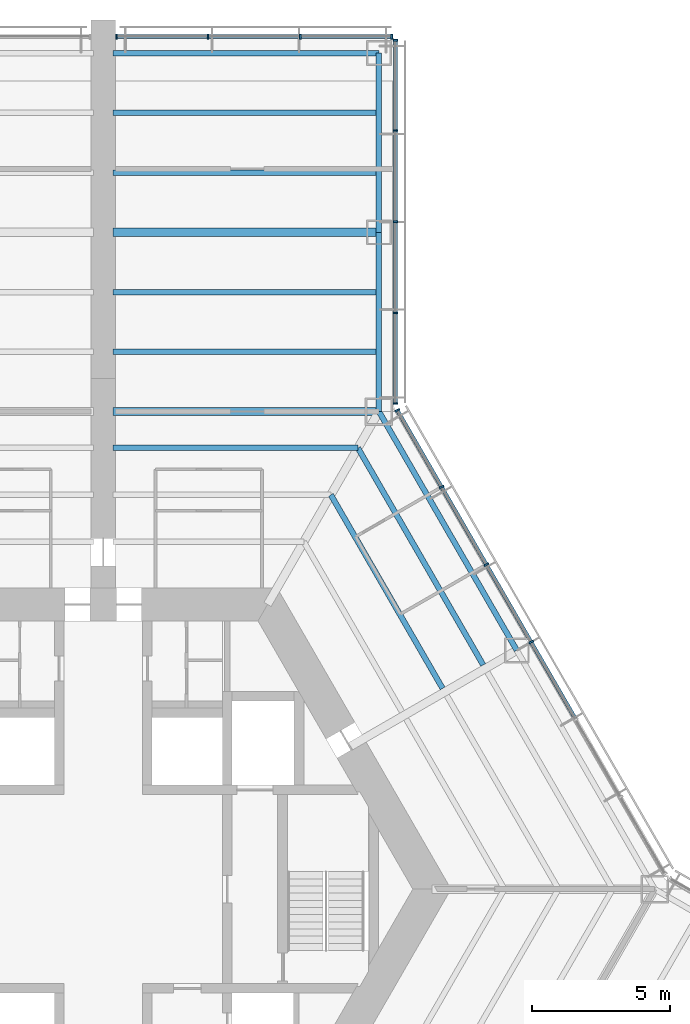
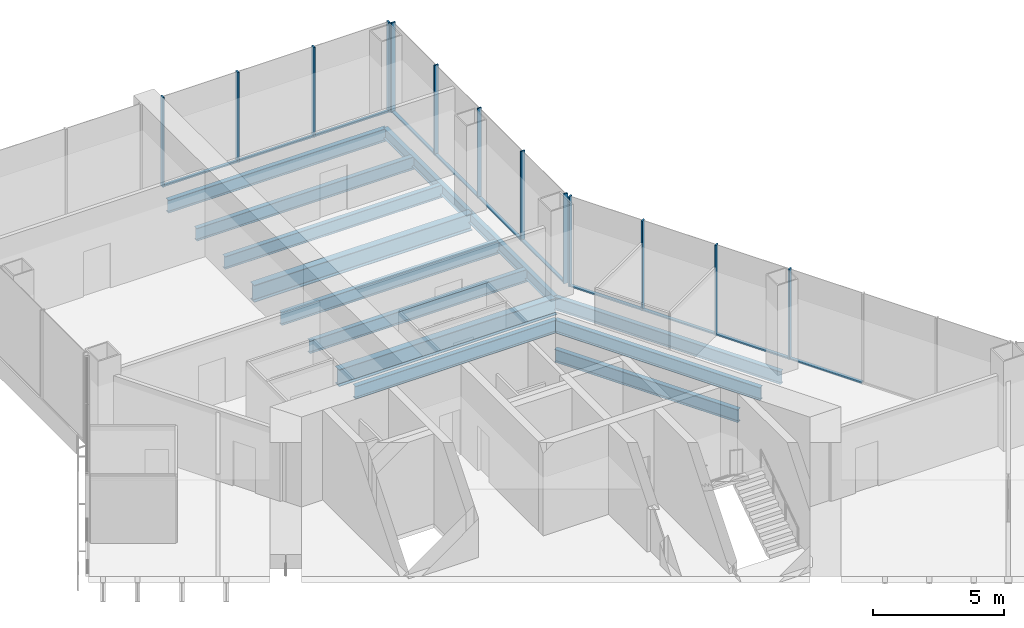
# One storey, part 7 of 16: 24 members, 13 beams, 3 elements without a shape of their own.
"""IFC4 building model written with IfcOpenShell, lengths in metres."""

from ifc_helpers import new_model, si_unit, direction, frame, origin, origin_2d, place, context, subcontext, project, spatial, rectangle, i_section, extrude, material, material_profile, profile_set, type_object, element, aggregate, save


model = new_model("IFC4")

# Units and contexts
model_context = context("Model", 3, precision=1e-05, world=origin(), true_north=direction((0.0, 1.0)))
body_context = subcontext(model_context, "Body", "Model", "MODEL_VIEW")
ifc_project = project(units=[si_unit("LENGTHUNIT", "METRE"), si_unit("AREAUNIT", "SQUARE_METRE"), si_unit("VOLUMEUNIT", "CUBIC_METRE"), si_unit("PLANEANGLEUNIT", "RADIAN"), si_unit("MASSUNIT", "GRAM", prefix="KILO")], contexts=[model_context])

# Site, building, storey
site_placement = place(None, origin())
site = spatial("IfcSite", under=ifc_project, at=site_placement, CompositionType="ELEMENT")
building_placement = place(site_placement, origin())
building = spatial("IfcBuilding", under=site, at=building_placement, Name="Kasaneha Research Tower", CompositionType="ELEMENT")
storey_placement = place(building_placement, frame((0.0, 0.0, 14.199951171875)))
storey = spatial("IfcBuildingStorey", under=building, at=storey_placement, Name="L04", CompositionType="ELEMENT", Elevation=14.199951171875)

# Beams
ifc_material_1 = material(Name="Steel SN490B", Category="steel")
ifc_material_profile_1 = material_profile(ifc_material_1, i_section(OverallWidth=0.199951171875, OverallDepth=0.60009765625, WebThickness=0.010986328125, FlangeThickness=0.01708984375, FilletRadius=0.012939453125, at=origin_2d()), Name="H-600x200x11x17")
ifc_profile_set_1 = profile_set([ifc_material_profile_1], Name="Steel SN490B")
beam_type_1 = type_object("IfcBeamType", Name="B1-1 secondary beam H-600x200x11x17", PredefinedType="JOIST", material=ifc_profile_set_1)
beam_1_placement = place(storey_placement, frame((8.256103515625, 14.300048828125, -0.5), z_axis=(0.499984030215, -0.866034623748, 0.0), x_axis=(0.866034623748, 0.499984030215, 0.0)))
element("IfcBeam", 1, at=beam_1_placement, inside=storey, type_object=beam_type_1, Name="Secondary beam RS030R2 L04", PredefinedType="JOIST", context=body_context, shape_type="SweptSolid", body=[
    extrude(i_section(OverallWidth=0.199951171875, OverallDepth=0.60009765625, WebThickness=0.010986328125, FlangeThickness=0.01708984375, FilletRadius=0.012939453125, at=origin_2d()), origin(), (0.0, 0.0, 1.0), 8.106201171875),
])
beam_2_placement = place(storey_placement, frame((9.237548828125, 16.0, -0.5), z_axis=(0.500010814234, -0.866019160093, 0.0), x_axis=(0.866019160093, 0.500010814234, 0.0)))
element("IfcBeam", 2, at=beam_2_placement, inside=storey, type_object=beam_type_1, Name="Secondary beam RS030R3 L04", PredefinedType="JOIST", context=body_context, shape_type="SweptSolid", body=[
    extrude(i_section(OverallWidth=0.199951171875, OverallDepth=0.60009765625, WebThickness=0.010986328125, FlangeThickness=0.01708984375, FilletRadius=0.012939453125, at=origin_2d()), origin(), (0.0, 0.0, 1.0), 9.087646484375),
])
beam_3_placement = place(storey_placement, frame((9.237548828125, 16.0, -0.5), z_axis=(-1.0, 0.0, 0.0), x_axis=(0.0, -1.0, 0.0)))
element("IfcBeam", 3, at=beam_3_placement, inside=storey, type_object=beam_type_1, Name="Secondary beam RS090L3 L04", PredefinedType="JOIST", context=body_context, shape_type="SweptSolid", body=[
    extrude(i_section(OverallWidth=0.199951171875, OverallDepth=0.60009765625, WebThickness=0.010986328125, FlangeThickness=0.01708984375, FilletRadius=0.012939453125, at=origin_2d()), origin(), (0.0, 0.0, 1.0), 8.887451171875),
])
ifc_material_2 = material(Name="Steel SN490B", Category="steel")
ifc_material_profile_2 = material_profile(ifc_material_2, i_section(OverallWidth=0.198974609375, OverallDepth=0.595947265625, WebThickness=0.010009765625, FlangeThickness=0.014892578125, FilletRadius=0.012939453125, at=origin_2d()), Name="H-596x199x10x15")
ifc_profile_set_2 = profile_set([ifc_material_profile_2], Name="Steel SN490B")
beam_type_2 = type_object("IfcBeamType", Name="B2-1 secondary beam H-596x199x10x15", PredefinedType="JOIST", material=ifc_profile_set_2)
for number, where, z_axis, x_axis, name in (
    (4, (10.0, 19.487060546875, -0.498046875), (-1.0, 0.0, 0.0), (0.0, -1.0, 0.0), "Secondary beam WBAP1 L04"),
    (5, (10.0, 21.65380859375, -0.498046875), (-1.0, 0.0, 0.0), (0.0, -1.0, 0.0), "Secondary beam WBAP2 L04"),
    (6, (10.0, 25.987060546875, -0.498046875), (-1.0, 0.0, 0.0), (0.0, -1.0, 0.0), "Secondary beam WBAP3 L04"),
    (7, (10.0, 28.15380859375, -0.498046875), (-1.0, 0.0, 0.0), (0.0, -1.0, 0.0), "Secondary beam WBAP4 L04"),
):
    element("IfcBeam", number, at=place(storey_placement, frame(where, z_axis=z_axis, x_axis=x_axis)), inside=storey, type_object=beam_type_2, Name=name, PredefinedType="JOIST", context=body_context, shape_type="SweptSolid", body=[
        extrude(i_section(OverallWidth=0.198974609375, OverallDepth=0.595947265625, WebThickness=0.010009765625, FlangeThickness=0.014892578125, FilletRadius=0.012939453125, at=origin_2d()), origin(), (0.0, 0.0, 1.0), 9.64990234375),
    ])

# Curtain wall, members
ifc_material_3 = material(Name="Glass and aluminium", Category="aluminium")
curtain_wall_type = type_object("IfcCurtainWallType", Name="Wet laboratory curtain wall", PredefinedType="USERDEFINED", material=ifc_material_3)
curtain_wall_1_placement = place(storey_placement, origin())
curtain_wall_1 = element("IfcCurtainWall", 8, at=curtain_wall_1_placement, inside=storey, type_object=curtain_wall_type, Name="CW-L1 L04 run 07a", ObjectType="UNITISED CURTAIN WALL", PredefinedType="USERDEFINED")
ifc_material_4 = material(Name="Aluminium 6063-T6", Category="aluminium")
ifc_material_profile_3 = material_profile(ifc_material_4, rectangle(XDim=0.06494140625, YDim=0.179931640625, at=origin_2d()), Name="CW-L1 mullion 65x180")
ifc_profile_set_3 = profile_set([ifc_material_profile_3], Name="Aluminium 6063-T6")
member_type_1 = type_object("IfcMemberType", Name="CW-L1 mullion", PredefinedType="MULLION", material=ifc_profile_set_3)
member_1_placement = place(storey_placement, frame((15.51953125, 8.960205078125, 0.0), z_axis=(0.0, 0.0, 1.0), x_axis=(-0.49999996188, 0.866025425793, 0.0)))
member_1 = element("IfcMember", 9, at=member_1_placement, type_object=member_type_1, Name="CW-L1 mullion 4", PredefinedType="MULLION", context=body_context, shape_type="SweptSolid", body=[
    extrude(rectangle(XDim=0.06494140625, YDim=0.179931640625, at=origin_2d()), origin(), (0.0, 0.0, 1.0), 4.199951171875),
])
member_2_placement = place(storey_placement, frame((13.896484375, 11.771728515625, 0.0), z_axis=(0.0, 0.0, 1.0), x_axis=(-0.49999996188, 0.866025425793, 0.0)))
member_2 = element("IfcMember", 10, at=member_2_placement, type_object=member_type_1, Name="CW-L1 mullion 5", PredefinedType="MULLION", context=body_context, shape_type="SweptSolid", body=[
    extrude(rectangle(XDim=0.06494140625, YDim=0.179931640625, at=origin_2d()), origin(), (0.0, 0.0, 1.0), 4.199951171875),
])
member_3_placement = place(storey_placement, frame((12.273193359375, 14.583251953125, 0.0), z_axis=(0.0, 0.0, 1.0), x_axis=(-0.49999996188, 0.866025425793, 0.0)))
member_3 = element("IfcMember", 11, at=member_3_placement, type_object=member_type_1, Name="CW-L1 mullion 6", PredefinedType="MULLION", context=body_context, shape_type="SweptSolid", body=[
    extrude(rectangle(XDim=0.06494140625, YDim=0.179931640625, at=origin_2d()), origin(), (0.0, 0.0, 1.0), 4.199951171875),
])
member_4_placement = place(storey_placement, frame((10.666259765625, 17.366455078125, 0.0), z_axis=(0.0, 0.0, 1.0), x_axis=(-0.49999996188, 0.866025425793, 0.0)))
member_4 = element("IfcMember", 12, at=member_4_placement, type_object=member_type_1, Name="CW-L1 mullion 7", PredefinedType="MULLION", context=body_context, shape_type="SweptSolid", body=[
    extrude(rectangle(XDim=0.06494140625, YDim=0.179931640625, at=origin_2d()), origin(), (0.0, 0.0, 1.0), 4.199951171875),
])

curtain_wall_2_placement = place(storey_placement, origin())
curtain_wall_2 = element("IfcCurtainWall", 13, at=curtain_wall_2_placement, inside=storey, type_object=curtain_wall_type, Name="CW-L1 L04 run 08a", ObjectType="UNITISED CURTAIN WALL", PredefinedType="USERDEFINED")
member_5_placement = place(storey_placement, frame((10.60009765625, 17.61376953125, 0.0), z_axis=(0.0, 0.0, 1.0), x_axis=(0.0, 1.0, 0.0)))
member_5 = element("IfcMember", 14, at=member_5_placement, type_object=member_type_1, Name="CW-L1 mullion 1", PredefinedType="MULLION", context=body_context, shape_type="SweptSolid", body=[
    extrude(rectangle(XDim=0.06494140625, YDim=0.179931640625, at=origin_2d()), origin(), (0.0, 0.0, 1.0), 4.199951171875),
])
member_6_placement = place(storey_placement, frame((10.60009765625, 20.89111328125, 0.0), z_axis=(0.0, 0.0, 1.0), x_axis=(0.0, 1.0, 0.0)))
member_6 = element("IfcMember", 15, at=member_6_placement, type_object=member_type_1, Name="CW-L1 mullion 2", PredefinedType="MULLION", context=body_context, shape_type="SweptSolid", body=[
    extrude(rectangle(XDim=0.06494140625, YDim=0.179931640625, at=origin_2d()), origin(), (0.0, 0.0, 1.0), 4.199951171875),
])
member_7_placement = place(storey_placement, frame((10.60009765625, 24.200927734375, 0.0), z_axis=(0.0, 0.0, 1.0), x_axis=(0.0, 1.0, 0.0)))
member_7 = element("IfcMember", 16, at=member_7_placement, type_object=member_type_1, Name="CW-L1 mullion 3", PredefinedType="MULLION", context=body_context, shape_type="SweptSolid", body=[
    extrude(rectangle(XDim=0.06494140625, YDim=0.179931640625, at=origin_2d()), origin(), (0.0, 0.0, 1.0), 4.199951171875),
])
member_8_placement = place(storey_placement, frame((10.60009765625, 27.5107421875, 0.0), z_axis=(0.0, 0.0, 1.0), x_axis=(0.0, 1.0, 0.0)))
member_8 = element("IfcMember", 17, at=member_8_placement, type_object=member_type_1, Name="CW-L1 mullion 4", PredefinedType="MULLION", context=body_context, shape_type="SweptSolid", body=[
    extrude(rectangle(XDim=0.06494140625, YDim=0.179931640625, at=origin_2d()), origin(), (0.0, 0.0, 1.0), 4.199951171875),
])
member_9_placement = place(storey_placement, frame((10.60009765625, 30.7880859375, 0.0), z_axis=(0.0, 0.0, 1.0), x_axis=(0.0, 1.0, 0.0)))
member_9 = element("IfcMember", 18, at=member_9_placement, type_object=member_type_1, Name="CW-L1 mullion 5", PredefinedType="MULLION", context=body_context, shape_type="SweptSolid", body=[
    extrude(rectangle(XDim=0.06494140625, YDim=0.179931640625, at=origin_2d()), origin(), (0.0, 0.0, 1.0), 4.199951171875),
])

curtain_wall_3_placement = place(storey_placement, origin())
curtain_wall_3 = element("IfcCurtainWall", 19, at=curtain_wall_3_placement, inside=storey, type_object=curtain_wall_type, Name="CW-L1 L04 run 09a", ObjectType="UNITISED CURTAIN WALL", PredefinedType="USERDEFINED")
member_10_placement = place(storey_placement, frame((10.467529296875, 30.92041015625, 0.0), z_axis=(0.0, 0.0, 1.0), x_axis=(-1.0, 0.0, 0.0)))
member_10 = element("IfcMember", 20, at=member_10_placement, type_object=member_type_1, Name="CW-L1 mullion 1", PredefinedType="MULLION", context=body_context, shape_type="SweptSolid", body=[
    extrude(rectangle(XDim=0.06494140625, YDim=0.179931640625, at=origin_2d()), origin(), (0.0, 0.0, 1.0), 4.199951171875),
])
member_11_placement = place(storey_placement, frame((7.14990234375, 30.92041015625, 0.0), z_axis=(0.0, 0.0, 1.0), x_axis=(-1.0, 0.0, 0.0)))
member_11 = element("IfcMember", 21, at=member_11_placement, type_object=member_type_1, Name="CW-L1 mullion 2", PredefinedType="MULLION", context=body_context, shape_type="SweptSolid", body=[
    extrude(rectangle(XDim=0.06494140625, YDim=0.179931640625, at=origin_2d()), origin(), (0.0, 0.0, 1.0), 4.199951171875),
])
member_12_placement = place(storey_placement, frame((3.800048828125, 30.92041015625, 0.0), z_axis=(0.0, 0.0, 1.0), x_axis=(-1.0, 0.0, 0.0)))
member_12 = element("IfcMember", 22, at=member_12_placement, type_object=member_type_1, Name="CW-L1 mullion 3", PredefinedType="MULLION", context=body_context, shape_type="SweptSolid", body=[
    extrude(rectangle(XDim=0.06494140625, YDim=0.179931640625, at=origin_2d()), origin(), (0.0, 0.0, 1.0), 4.199951171875),
])
member_13_placement = place(storey_placement, frame((0.482421875, 30.92041015625, 0.0), z_axis=(0.0, 0.0, 1.0), x_axis=(-1.0, 0.0, 0.0)))
member_13 = element("IfcMember", 23, at=member_13_placement, type_object=member_type_1, Name="CW-L1 mullion 4", PredefinedType="MULLION", context=body_context, shape_type="SweptSolid", body=[
    extrude(rectangle(XDim=0.06494140625, YDim=0.179931640625, at=origin_2d()), origin(), (0.0, 0.0, 1.0), 4.199951171875),
])

# Member
ifc_material_5 = material(Name="Aluminium 6063-T6", Category="aluminium")
ifc_material_profile_4 = material_profile(ifc_material_5, rectangle(XDim=0.139892578125, YDim=0.06494140625, at=origin_2d()), Name="CW-L1 transom 140x65")
ifc_profile_set_4 = profile_set([ifc_material_profile_4], Name="Aluminium 6063-T6")
member_type_2 = type_object("IfcMemberType", Name="CW-L1 transom", PredefinedType="USERDEFINED", material=ifc_profile_set_4)
member_14_placement = place(storey_placement, frame((17.12646484375, 6.177001953125, 0.032470703125), z_axis=(-0.499977104415, 0.866038622153, 0.0), x_axis=(-0.866038622153, -0.499977104415, 0.0)))
member_14 = element("IfcMember", 24, at=member_14_placement, type_object=member_type_2, Name="CW-L1 transom 3", ObjectType="TRANSOM", PredefinedType="USERDEFINED", context=body_context, shape_type="SweptSolid", body=[
    extrude(rectangle(XDim=0.139892578125, YDim=0.06494140625, at=origin_2d()), origin(), (0.0, 0.0, 1.0), 3.181396484375),
])

member_15_placement = place(storey_placement, frame((15.50341796875, 8.98828125, 0.032470703125), z_axis=(-0.500001430823, 0.866024577697, 0.0), x_axis=(-0.866024577697, -0.500001430823, 0.0)))
member_15 = element("IfcMember", 25, at=member_15_placement, type_object=member_type_2, Name="CW-L1 transom 4", ObjectType="TRANSOM", PredefinedType="USERDEFINED", context=body_context, shape_type="SweptSolid", body=[
    extrude(rectangle(XDim=0.139892578125, YDim=0.06494140625, at=origin_2d()), origin(), (0.0, 0.0, 1.0), 3.181640625),
])

member_16_placement = place(storey_placement, frame((13.880126953125, 11.7998046875, 0.032470703125), z_axis=(-0.499943876812, 0.866057804098, 0.0), x_axis=(-0.866057804098, -0.499943876812, 0.0)))
member_16 = element("IfcMember", 26, at=member_16_placement, type_object=member_type_2, Name="CW-L1 transom 5", ObjectType="TRANSOM", PredefinedType="USERDEFINED", context=body_context, shape_type="SweptSolid", body=[
    extrude(rectangle(XDim=0.139892578125, YDim=0.06494140625, at=origin_2d()), origin(), (0.0, 0.0, 1.0), 3.181396484375),
])

member_17_placement = place(storey_placement, frame((12.2568359375, 14.611328125, 0.032470703125), z_axis=(-0.499941702305, 0.866059059358, 0.0), x_axis=(-0.866059059358, -0.499941702305, 0.0)))
member_17 = element("IfcMember", 27, at=member_17_placement, type_object=member_type_2, Name="CW-L1 transom 6", ObjectType="TRANSOM", PredefinedType="USERDEFINED", context=body_context, shape_type="SweptSolid", body=[
    extrude(rectangle(XDim=0.139892578125, YDim=0.06494140625, at=origin_2d()), origin(), (0.0, 0.0, 1.0), 3.14892578125),
])

aggregate(curtain_wall_1, [member_1, member_2, member_3, member_4, member_14, member_15, member_16, member_17])

member_18_placement = place(storey_placement, frame((10.60009765625, 17.646240234375, 0.032470703125), z_axis=(0.0, 1.0, 0.0), x_axis=(-1.0, 0.0, 0.0)))
member_18 = element("IfcMember", 28, at=member_18_placement, type_object=member_type_2, Name="CW-L1 transom 1", ObjectType="TRANSOM", PredefinedType="USERDEFINED", context=body_context, shape_type="SweptSolid", body=[
    extrude(rectangle(XDim=0.139892578125, YDim=0.06494140625, at=origin_2d()), origin(), (0.0, 0.0, 1.0), 3.21240234375),
])

member_19_placement = place(storey_placement, frame((10.60009765625, 20.923583984375, 0.032470703125), z_axis=(0.0, 1.0, 0.0), x_axis=(-1.0, 0.0, 0.0)))
member_19 = element("IfcMember", 29, at=member_19_placement, type_object=member_type_2, Name="CW-L1 transom 2", ObjectType="TRANSOM", PredefinedType="USERDEFINED", context=body_context, shape_type="SweptSolid", body=[
    extrude(rectangle(XDim=0.139892578125, YDim=0.06494140625, at=origin_2d()), origin(), (0.0, 0.0, 1.0), 3.244873046875),
])

member_20_placement = place(storey_placement, frame((10.60009765625, 24.2333984375, 0.032470703125), z_axis=(0.0, 1.0, 0.0), x_axis=(-1.0, 0.0, 0.0)))
member_20 = element("IfcMember", 30, at=member_20_placement, type_object=member_type_2, Name="CW-L1 transom 3", ObjectType="TRANSOM", PredefinedType="USERDEFINED", context=body_context, shape_type="SweptSolid", body=[
    extrude(rectangle(XDim=0.139892578125, YDim=0.06494140625, at=origin_2d()), origin(), (0.0, 0.0, 1.0), 3.244873046875),
])

member_21_placement = place(storey_placement, frame((10.60009765625, 27.543212890625, 0.032470703125), z_axis=(0.0, 1.0, 0.0), x_axis=(-1.0, 0.0, 0.0)))
member_21 = element("IfcMember", 31, at=member_21_placement, type_object=member_type_2, Name="CW-L1 transom 4", ObjectType="TRANSOM", PredefinedType="USERDEFINED", context=body_context, shape_type="SweptSolid", body=[
    extrude(rectangle(XDim=0.139892578125, YDim=0.06494140625, at=origin_2d()), origin(), (0.0, 0.0, 1.0), 3.21240234375),
])

aggregate(curtain_wall_2, [member_5, member_6, member_7, member_8, member_9, member_18, member_19, member_20, member_21])

member_22_placement = place(storey_placement, frame((10.43505859375, 30.92041015625, 0.032470703125), z_axis=(-1.0, 0.0, 0.0), x_axis=(0.0, -1.0, 0.0)))
member_22 = element("IfcMember", 32, at=member_22_placement, type_object=member_type_2, Name="CW-L1 transom 1", ObjectType="TRANSOM", PredefinedType="USERDEFINED", context=body_context, shape_type="SweptSolid", body=[
    extrude(rectangle(XDim=0.139892578125, YDim=0.06494140625, at=origin_2d()), origin(), (0.0, 0.0, 1.0), 3.25244140625),
])

member_23_placement = place(storey_placement, frame((7.117431640625, 30.92041015625, 0.032470703125), z_axis=(-1.0, 0.0, 0.0), x_axis=(0.0, -1.0, 0.0)))
member_23 = element("IfcMember", 33, at=member_23_placement, type_object=member_type_2, Name="CW-L1 transom 2", ObjectType="TRANSOM", PredefinedType="USERDEFINED", context=body_context, shape_type="SweptSolid", body=[
    extrude(rectangle(XDim=0.139892578125, YDim=0.06494140625, at=origin_2d()), origin(), (0.0, 0.0, 1.0), 3.284912109375),
])

member_24_placement = place(storey_placement, frame((3.767578125, 30.92041015625, 0.032470703125), z_axis=(-1.0, 0.0, 0.0), x_axis=(0.0, -1.0, 0.0)))
member_24 = element("IfcMember", 34, at=member_24_placement, type_object=member_type_2, Name="CW-L1 transom 3", ObjectType="TRANSOM", PredefinedType="USERDEFINED", context=body_context, shape_type="SweptSolid", body=[
    extrude(rectangle(XDim=0.139892578125, YDim=0.06494140625, at=origin_2d()), origin(), (0.0, 0.0, 1.0), 3.252685546875),
])

aggregate(curtain_wall_3, [member_10, member_11, member_12, member_13, member_22, member_23, member_24])

# Beams
ifc_material_6 = material(Name="Steel SN490B", Category="steel")
ifc_material_profile_5 = material_profile(ifc_material_6, i_section(OverallWidth=0.300048828125, OverallDepth=0.7919921875, WebThickness=0.013916015625, FlangeThickness=0.02197265625, FilletRadius=0.01806640625, at=origin_2d()), Name="H-792x300x14x22")
ifc_profile_set_5 = profile_set([ifc_material_profile_5], Name="Steel SN490B")
beam_type_3 = type_object("IfcBeamType", Name="G3-1 plate edge girder H-792x300x14x22", PredefinedType="BEAM", material=ifc_profile_set_5)
beam_4_placement = place(storey_placement, frame((10.0, 17.320556640625, -0.595947265625), z_axis=(-1.0, 0.0, 0.0), x_axis=(0.0, -1.0, 0.0)))
element("IfcBeam", 35, at=beam_4_placement, inside=storey, type_object=beam_type_3, Name="Plate edge girder PEAP L04", PredefinedType="BEAM", context=body_context, shape_type="SweptSolid", body=[
    extrude(i_section(OverallWidth=0.300048828125, OverallDepth=0.7919921875, WebThickness=0.013916015625, FlangeThickness=0.02197265625, FilletRadius=0.01806640625, at=origin_2d()), origin(), (0.0, 0.0, 1.0), 9.64990234375),
])
ifc_material_7 = material(Name="Steel SN490B", Category="steel")
ifc_material_profile_6 = material_profile(ifc_material_7, i_section(OverallWidth=0.300048828125, OverallDepth=0.800048828125, WebThickness=0.013916015625, FlangeThickness=0.02587890625, FilletRadius=0.01806640625, at=origin_2d()), Name="H-800x300x14x26")
ifc_profile_set_6 = profile_set([ifc_material_profile_6], Name="Steel SN490B")
beam_type_4 = type_object("IfcBeamType", Name="G4-1 wing girder H-800x300x14x26", PredefinedType="BEAM", material=ifc_profile_set_6)
beam_5_placement = place(storey_placement, frame((10.0, 23.820556640625, -0.599853515625), z_axis=(-1.0, 0.0, 0.0), x_axis=(0.0, -1.0, 0.0)))
element("IfcBeam", 36, at=beam_5_placement, inside=storey, type_object=beam_type_4, Name="Wing girder WGAP L04", PredefinedType="BEAM", context=body_context, shape_type="SweptSolid", body=[
    extrude(i_section(OverallWidth=0.300048828125, OverallDepth=0.800048828125, WebThickness=0.013916015625, FlangeThickness=0.02587890625, FilletRadius=0.01806640625, at=origin_2d()), origin(), (0.0, 0.0, 1.0), 9.64990234375),
])
ifc_material_8 = material(Name="Steel SN490B", Category="steel")
ifc_material_profile_7 = material_profile(ifc_material_8, i_section(OverallWidth=0.199951171875, OverallDepth=0.60009765625, WebThickness=0.010986328125, FlangeThickness=0.01708984375, FilletRadius=0.012939453125, at=origin_2d()), Name="H-600x200x11x17")
ifc_profile_set_7 = profile_set([ifc_material_profile_7], Name="Steel SN490B")
beam_type_5 = type_object("IfcBeamType", Name="SB1-1 spandrel beam H-600x200x11x17", PredefinedType="SPANDREL", material=ifc_profile_set_7)
beam_6_placement = place(storey_placement, frame((10.0, 17.320556640625, -0.5), z_axis=(0.499993662806, -0.866029062534, 0.0), x_axis=(0.866029062534, 0.499993662806, 0.0)))
element("IfcBeam", 37, at=beam_6_placement, inside=storey, type_object=beam_type_5, Name="Spandrel beam SR030R L04", PredefinedType="SPANDREL", context=body_context, shape_type="SweptSolid", body=[
    extrude(i_section(OverallWidth=0.199951171875, OverallDepth=0.60009765625, WebThickness=0.010986328125, FlangeThickness=0.01708984375, FilletRadius=0.012939453125, at=origin_2d()), origin(), (0.0, 0.0, 1.0), 10.000244140625),
])
ifc_material_9 = material(Name="Steel SN490B", Category="steel")
ifc_material_profile_8 = material_profile(ifc_material_9, i_section(OverallWidth=0.199951171875, OverallDepth=0.5, WebThickness=0.010009765625, FlangeThickness=0.01611328125, FilletRadius=0.012939453125, at=origin_2d()), Name="H-500x200x10x16")
ifc_profile_set_8 = profile_set([ifc_material_profile_8], Name="Steel SN490B")
beam_type_6 = type_object("IfcBeamType", Name="SB2-1 spandrel beam H-500x200x10x16", PredefinedType="SPANDREL", material=ifc_profile_set_8)
for number, where, z_axis, x_axis, name in (
    (38, (10.0, 17.320556640625, -0.449951171875), (0.0, 1.0, 0.0), (-1.0, 0.0, 0.0), "Spandrel beam WSAP1 L04"),
    (39, (10.0, 23.820556640625, -0.449951171875), (0.0, 1.0, 0.0), (-1.0, 0.0, 0.0), "Spandrel beam WSAP2 L04"),
):
    element("IfcBeam", number, at=place(storey_placement, frame(where, z_axis=z_axis, x_axis=x_axis)), inside=storey, type_object=beam_type_6, Name=name, PredefinedType="SPANDREL", context=body_context, shape_type="SweptSolid", body=[
        extrude(i_section(OverallWidth=0.199951171875, OverallDepth=0.5, WebThickness=0.010009765625, FlangeThickness=0.01611328125, FilletRadius=0.012939453125, at=origin_2d()), origin(), (0.0, 0.0, 1.0), 6.5),
    ])
ifc_material_10 = material(Name="Steel SN490B", Category="steel")
ifc_material_profile_9 = material_profile(ifc_material_10, i_section(OverallWidth=0.199951171875, OverallDepth=0.60009765625, WebThickness=0.010986328125, FlangeThickness=0.01708984375, FilletRadius=0.012939453125, at=origin_2d()), Name="H-600x200x11x17")
ifc_profile_set_9 = profile_set([ifc_material_profile_9], Name="Steel SN490B")
beam_type_7 = type_object("IfcBeamType", Name="SB3-1 spandrel beam H-600x200x11x17", PredefinedType="SPANDREL", material=ifc_profile_set_9)
beam_7_placement = place(storey_placement, frame((10.0, 30.320556640625, -0.5), z_axis=(-1.0, 0.0, 0.0), x_axis=(0.0, -1.0, 0.0)))
element("IfcBeam", 40, at=beam_7_placement, inside=storey, type_object=beam_type_7, Name="Spandrel beam WTAP L04", PredefinedType="SPANDREL", context=body_context, shape_type="SweptSolid", body=[
    extrude(i_section(OverallWidth=0.199951171875, OverallDepth=0.60009765625, WebThickness=0.010986328125, FlangeThickness=0.01708984375, FilletRadius=0.012939453125, at=origin_2d()), origin(), (0.0, 0.0, 1.0), 9.64990234375),
])

save(model, "model.ifc")
